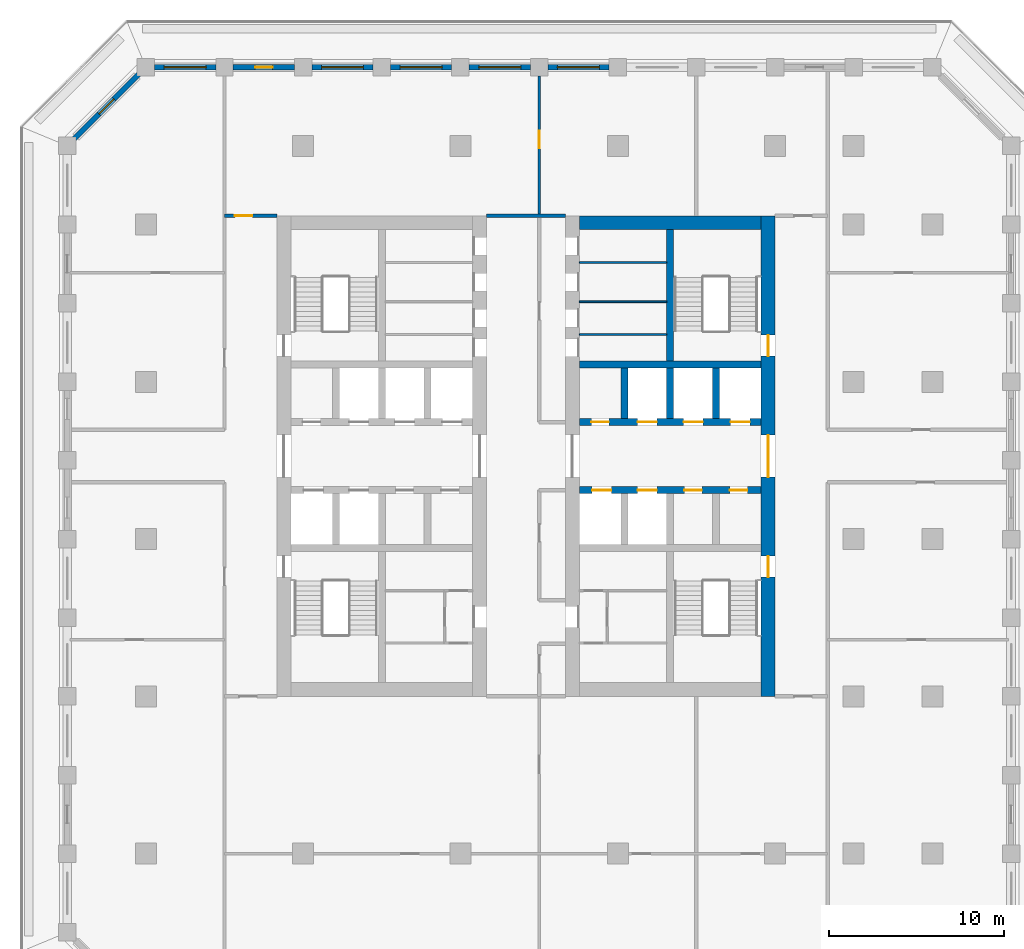
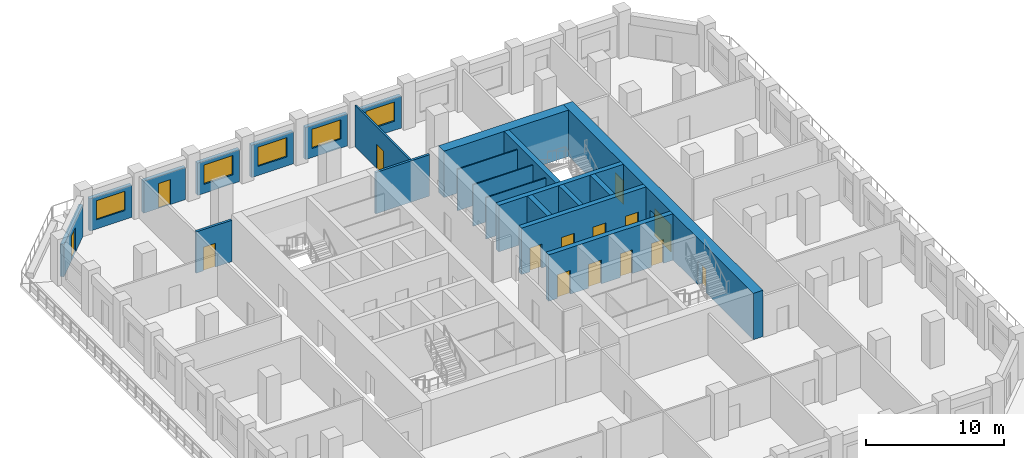
# One storey, part 6 of 16: 22 walls, 15 doors, 5 windows, 20 openings.
"""IFC4 building model written with IfcOpenShell, lengths in metres."""

import ifcopenshell
import ifcopenshell.guid

model = None  # the IFC model being written
_history = None  # IfcOwnerHistory: only IFC2X3 demands one
_inside = {}  # id of a spatial element -> (the spatial element, [elements in it])
_under = {}  # id of a project, library or spatial element -> (it, [spatial elements below it])
_declared = {}  # id of a project -> (the project, [libraries it declares])
_typed = {}  # id of a type object -> (the type object, [elements of that type])
_made_of = {}  # id of a material, layer set ... -> (it, [elements and type objects made of it])


def new_model(schema):
    """Start an empty IFC model of exactly this schema.

    Asked for "IFC4X3", IfcOpenShell would pick the latest addendum, in which some entities
    have other attributes; the version numbers below select the first issue.
    IFC2X3 requires an IfcOwnerHistory on every rooted entity: one is made here for all.
    """
    global model, _history
    if schema == "IFC4X3":
        model = ifcopenshell.file(schema_version=(4, 3, 0, 0))
    else:
        model = ifcopenshell.file(schema=schema)
    _inside.clear()
    _under.clear()
    _declared.clear()
    _typed.clear()
    _made_of.clear()
    _history = None
    if model.schema == "IFC2X3":
        org = make("IfcOrganization", Name="unknown")
        user = make(
            "IfcPersonAndOrganization",
            ThePerson=make("IfcPerson", FamilyName="unknown"),
            TheOrganization=org,
        )
        app = make(
            "IfcApplication",
            ApplicationDeveloper=org,
            Version="unknown",
            ApplicationFullName="unknown",
            ApplicationIdentifier="unknown",
        )
        _history = make(
            "IfcOwnerHistory",
            OwningUser=user,
            OwningApplication=app,
            ChangeAction="ADDED",
            CreationDate=0,
        )
    return model


def make(cls, **values):
    """One entity of the class cls with the attributes given. An attribute that is None is left unset."""
    return model.create_entity(
        cls, **{name: value for name, value in values.items() if value is not None}
    )


def rooted(cls, **values):
    """An entity with a GlobalId (a new one), such as an element, a storey or a relation."""
    return make(cls, GlobalId=ifcopenshell.guid.new(), OwnerHistory=_history, **values)


def si_unit(unit_type, name, prefix=None):
    """IfcSIUnit, for example si_unit("LENGTHUNIT", "METRE", prefix="MILLI")."""
    return make("IfcSIUnit", UnitType=unit_type, Prefix=prefix, Name=name)


def assignment(units):
    """IfcUnitAssignment: the units of a project."""
    return None if units is None else make("IfcUnitAssignment", Units=units)


def point(xyz):
    """IfcCartesianPoint."""
    return None if xyz is None else make("IfcCartesianPoint", Coordinates=xyz)


def direction(xyz):
    """IfcDirection."""
    return None if xyz is None else make("IfcDirection", DirectionRatios=xyz)


def frame(location, z_axis=None, x_axis=None):
    """IfcAxis2Placement3D, a coordinate frame: its origin and axes. An axis left out is left unset."""
    return make(
        "IfcAxis2Placement3D",
        Location=point(location),
        Axis=direction(z_axis),
        RefDirection=direction(x_axis),
    )


def frame_2d(location, x_axis=None):
    """IfcAxis2Placement2D, a coordinate frame in the plane: its origin and x axis."""
    return make(
        "IfcAxis2Placement2D", Location=point(location), RefDirection=direction(x_axis)
    )


def origin():
    """The frame at (0, 0, 0) with its axes left unset."""
    return frame((0.0, 0.0, 0.0))


def place(relative_to, where):
    """IfcLocalPlacement: puts the frame where relative to a parent placement (None: the world)."""
    return make(
        "IfcLocalPlacement", PlacementRelTo=relative_to, RelativePlacement=where
    )


def context(
    kind, dimensions, precision=None, world=None, true_north=None, identifier=None
):
    """IfcGeometricRepresentationContext, for example the 3D "Model" context."""
    return make(
        "IfcGeometricRepresentationContext",
        ContextIdentifier=identifier,
        ContextType=kind,
        CoordinateSpaceDimension=dimensions,
        Precision=precision,
        WorldCoordinateSystem=world,
        TrueNorth=true_north,
    )


def subcontext(parent, identifier, kind, view, scale=None):
    """IfcGeometricRepresentationSubContext, for example "Body" below "Model"."""
    return make(
        "IfcGeometricRepresentationSubContext",
        ContextIdentifier=identifier,
        ContextType=kind,
        ParentContext=parent,
        TargetScale=scale,
        TargetView=view,
    )


def project(units=None, contexts=None):
    """IfcProject with its units and contexts."""
    return rooted(
        "IfcProject",
        Name="project",
        RepresentationContexts=contexts,
        UnitsInContext=assignment(units),
    )


def spatial(cls, under=None, at=None, **own):
    """A site, building, storey or space (cls), placed at a placement, below another one or the project."""
    s = rooted(cls, ObjectPlacement=at, **own)
    if under is not None:
        _under.setdefault(under.id(), (under, []))[1].append(s)
    return s


def profile(cls, at=None, kind="AREA", **sizes):
    """A parametric profile (cls). Its sizes go by their IFC names, for example OverallWidth=200.0."""
    return make(cls, ProfileType=kind, Position=at, **sizes)


def rectangle(**sizes):
    """IfcRectangleProfileDef."""
    return profile("IfcRectangleProfileDef", **sizes)


def extrude(swept, where, along, depth):
    """IfcExtrudedAreaSolid: the profile swept, set in the frame where, extruded along a direction by depth."""
    return make(
        "IfcExtrudedAreaSolid",
        SweptArea=swept,
        Position=where,
        ExtrudedDirection=direction(along),
        Depth=depth,
    )


def shape(context_of_items, identifier, shape_type, items):
    """IfcShapeRepresentation: the items that make up one representation, for example the "Body"."""
    return make(
        "IfcShapeRepresentation",
        ContextOfItems=context_of_items,
        RepresentationIdentifier=identifier,
        RepresentationType=shape_type,
        Items=items,
    )


def material(Name=None, Category=None):
    """IfcMaterial."""
    return make("IfcMaterial", Name=Name, Category=Category)


def layer(
    of_material, thickness, ventilated=None, Name=None, Category=None, Priority=None
):
    """IfcMaterialLayer: one layer of a wall or slab, of a material (None: an air gap)."""
    return make(
        "IfcMaterialLayer",
        Material=of_material,
        LayerThickness=thickness,
        IsVentilated=ventilated,
        Name=Name,
        Category=Category,
        Priority=Priority,
    )


def layer_set(layers, Name=None):
    """IfcMaterialLayerSet."""
    return make("IfcMaterialLayerSet", MaterialLayers=layers, LayerSetName=Name)


def made_of(thing, what):
    """Note that an element or type object is made of a material, layer set ...; save() writes the relation."""
    if what is not None:
        _made_of.setdefault(what.id(), (what, []))[1].append(thing)
    return thing


def type_object(cls, material=None, **own):
    """A type object (cls), such as IfcWallType, which elements share."""
    return made_of(rooted(cls, **own), material)


def element(
    cls,
    number,
    at=None,
    inside=None,
    cuts=None,
    type_object=None,
    material=None,
    context=None,
    identifier="Body",
    shape_type=None,
    held_by="IfcProductDefinitionShape",
    body=None,
    shapes=None,
    **own,
):
    """One element of the class cls, such as IfcWall. Its Tag is "e" and its number.

    at: its placement. inside: the storey or other place that contains it. cuts: it is an
    opening in that element (IfcRelVoidsElement). A single representation is given by context,
    identifier, shape_type and body (its items); several are given by shapes. held_by: the class
    of the entity that holds the representations. save() writes the other relations.
    """
    e = rooted(cls, Tag="e%d" % number, ObjectPlacement=at, **own)
    if body is not None:
        shapes = [shape(context, identifier, shape_type, body)]
    if shapes is not None:
        e.Representation = make(held_by, Representations=shapes)
    if inside is not None:
        _inside.setdefault(inside.id(), (inside, []))[1].append(e)
    if cuts is not None:
        rooted(
            "IfcRelVoidsElement", RelatingBuildingElement=cuts, RelatedOpeningElement=e
        )
    if type_object is not None:
        _typed.setdefault(type_object.id(), (type_object, []))[1].append(e)
    return made_of(e, material)


def fill(opening, filler):
    """IfcRelFillsElement: the door or window that sits in an opening."""
    return rooted(
        "IfcRelFillsElement",
        RelatingOpeningElement=opening,
        RelatedBuildingElement=filler,
    )


def aggregate(whole, parts):
    """IfcRelAggregates: a whole, such as a stair, and the parts it consists of."""
    return rooted("IfcRelAggregates", RelatingObject=whole, RelatedObjects=parts)


def save(model, path):
    """Write the relations noted so far, then the file.

    IfcRelAggregates (storeys below a building ...), IfcRelContainedInSpatialStructure (elements
    in a storey), IfcRelDefinesByType, IfcRelAssociatesMaterial and IfcRelDeclares: one each for
    every whole, place, type object, material and project.
    """
    for whole, parts in _under.values():
        aggregate(whole, parts)
    for where, things in _inside.values():
        rooted(
            "IfcRelContainedInSpatialStructure",
            RelatedElements=things,
            RelatingStructure=where,
        )
    for kind, things in _typed.values():
        rooted("IfcRelDefinesByType", RelatedObjects=things, RelatingType=kind)
    for what, things in _made_of.values():
        rooted("IfcRelAssociatesMaterial", RelatedObjects=things, RelatingMaterial=what)
    for by, libraries in _declared.values():
        rooted("IfcRelDeclares", RelatingContext=by, RelatedDefinitions=libraries)
    model.write(path)


model = new_model("IFC4")

# Units and contexts
model_context = context("Model", 3, precision=1e-05, world=origin(), true_north=direction((0.0, 1.0)))
body_context = subcontext(model_context, "Body", "Model", "MODEL_VIEW")
ifc_project = project(units=[si_unit("LENGTHUNIT", "METRE"), si_unit("AREAUNIT", "SQUARE_METRE"), si_unit("VOLUMEUNIT", "CUBIC_METRE"), si_unit("PLANEANGLEUNIT", "RADIAN"), si_unit("MASSUNIT", "GRAM", prefix="KILO")], contexts=[model_context])

# Site, building, storey
site_placement = place(None, origin())
site = spatial("IfcSite", under=ifc_project, at=site_placement, CompositionType="ELEMENT")
building_placement = place(site_placement, origin())
building = spatial("IfcBuilding", under=site, at=building_placement, Name="Corbel Stack Research Tower", CompositionType="ELEMENT")
storey_placement = place(building_placement, frame((0.0, 0.0, 195.60009765625)))
storey = spatial("IfcBuildingStorey", under=building, at=storey_placement, Name="L44", CompositionType="ELEMENT", Elevation=195.60009765625)

# Wall, openings, doors
ifc_material_1 = material(Name="Concrete C60/75", Category="concrete")
ifc_layer_1 = layer(ifc_material_1, 0.39990234375)
ifc_layer_set_1 = layer_set([ifc_layer_1], Name="Concrete C60/75")
wall_type_1 = type_object("IfcWallType", Name="CW-400-60", PredefinedType="SHEAR", material=ifc_layer_set_1)
wall_1_placement = place(storey_placement, frame((6.800048828125, 2.800048828125, 0.0), z_axis=(0.0, 0.0, 1.0), x_axis=(1.0, 0.0, 0.0)))
wall_1 = element("IfcWall", 1, at=wall_1_placement, inside=storey, type_object=wall_type_1, Name="East core wall, lobby south L44", PredefinedType="SHEAR", context=body_context, shape_type="SweptSolid", body=[
    extrude(rectangle(XDim=10.39990234375, YDim=0.39990234375, at=frame_2d((5.199951171875, 0.0))), origin(), (0.0, 0.0, 1.0), 4.099853515625),
])
opening_1_placement = place(wall_1_placement, frame((0.737548828125, 0.0, 0.0)))
opening_1 = element("IfcOpeningElement", 2, at=opening_1_placement, cuts=wall_1, Name="Opening LD-FS2", PredefinedType="OPENING", context=body_context, shape_type="SweptSolid", body=[
    extrude(rectangle(XDim=1.10009765625, YDim=2.10009765625, at=frame_2d((0.550048828125, 1.050048828125))), frame((0.0, 0.2099609375, 0.0), z_axis=(0.0, -1.0, 0.0), x_axis=(1.0, 0.0, 0.0)), (0.0, 0.0, 1.0), 0.419921875),
])
opening_2_placement = place(wall_1_placement, frame((3.33740234375, 0.0, 0.0)))
opening_2 = element("IfcOpeningElement", 3, at=opening_2_placement, cuts=wall_1, Name="Opening LD-GL2", PredefinedType="OPENING", context=body_context, shape_type="SweptSolid", body=[
    extrude(rectangle(XDim=1.10009765625, YDim=2.10009765625, at=frame_2d((0.550048828125, 1.050048828125))), frame((0.0, 0.2099609375, 0.0), z_axis=(0.0, -1.0, 0.0), x_axis=(1.0, 0.0, 0.0)), (0.0, 0.0, 1.0), 0.419921875),
])
opening_3_placement = place(wall_1_placement, frame((6.012451171875, 0.0, 0.0)))
opening_3 = element("IfcOpeningElement", 4, at=opening_3_placement, cuts=wall_1, Name="Opening CR-E36-S3", PredefinedType="OPENING", context=body_context, shape_type="SweptSolid", body=[
    extrude(rectangle(XDim=1.0, YDim=2.10009765625, at=frame_2d((0.5, 1.050048828125))), frame((0.0, 0.2099609375, 0.0), z_axis=(0.0, -1.0, 0.0), x_axis=(1.0, 0.0, 0.0)), (0.0, 0.0, 1.0), 0.419921875),
])
opening_4_placement = place(wall_1_placement, frame((8.612548828125, 0.0, 0.0)))
opening_4 = element("IfcOpeningElement", 5, at=opening_4_placement, cuts=wall_1, Name="Opening CR-E36-S4", PredefinedType="OPENING", context=body_context, shape_type="SweptSolid", body=[
    extrude(rectangle(XDim=1.0, YDim=2.10009765625, at=frame_2d((0.5, 1.050048828125))), frame((0.0, 0.2099609375, 0.0), z_axis=(0.0, -1.0, 0.0), x_axis=(1.0, 0.0, 0.0)), (0.0, 0.0, 1.0), 0.419921875),
])
ifc_material_2 = material(Name="Stainless steel landing door", Category="steel")
door_type_1 = type_object("IfcDoorType", Name="Lift landing door 1100 x 2100", OperationType="DOUBLE_DOOR_SLIDING", PredefinedType="DOOR", material=ifc_material_2)
door_1_placement = place(opening_1_placement, origin())
door_1 = element("IfcDoor", 6, at=door_1_placement, inside=storey, type_object=door_type_1, Name="Landing door FS2", OperationType="DOUBLE_DOOR_SLIDING", OverallHeight=2.10009765625, OverallWidth=1.10009765625, PredefinedType="DOOR", context=body_context, shape_type="SweptSolid", body=[
    extrude(rectangle(XDim=1.10009765625, YDim=2.10009765625, at=frame_2d((0.550048828125, 1.050048828125))), frame((0.0, 0.02490234375, 0.0), z_axis=(0.0, -1.0, 0.0), x_axis=(1.0, 0.0, 0.0)), (0.0, 0.0, 1.0), 0.050048828125),
])
fill(opening_1, door_1)
door_2_placement = place(opening_2_placement, origin())
door_2 = element("IfcDoor", 7, at=door_2_placement, inside=storey, type_object=door_type_1, Name="Landing door GL2", OperationType="DOUBLE_DOOR_SLIDING", OverallHeight=2.10009765625, OverallWidth=1.10009765625, PredefinedType="DOOR", context=body_context, shape_type="SweptSolid", body=[
    extrude(rectangle(XDim=1.10009765625, YDim=2.10009765625, at=frame_2d((0.550048828125, 1.050048828125))), frame((0.0, 0.02490234375, 0.0), z_axis=(0.0, -1.0, 0.0), x_axis=(1.0, 0.0, 0.0)), (0.0, 0.0, 1.0), 0.050048828125),
])
fill(opening_2, door_2)
ifc_material_3 = material(Name="Painted steel door", Category="steel")
door_type_2 = type_object("IfcDoorType", Name="Service door 1000 x 2100 FD60 left hand", OperationType="SINGLE_SWING_LEFT", PredefinedType="DOOR", material=ifc_material_3)
door_3_placement = place(opening_3_placement, origin())
door_3 = element("IfcDoor", 8, at=door_3_placement, inside=storey, type_object=door_type_2, Name="Laboratory consumables store door E core", OperationType="SINGLE_SWING_LEFT", OverallHeight=2.10009765625, OverallWidth=1.0, PredefinedType="DOOR", context=body_context, shape_type="SweptSolid", body=[
    extrude(rectangle(XDim=1.0, YDim=2.10009765625, at=frame_2d((0.5, 1.050048828125))), frame((0.0, 0.02490234375, 0.0), z_axis=(0.0, -1.0, 0.0), x_axis=(1.0, 0.0, 0.0)), (0.0, 0.0, 1.0), 0.050048828125),
])
fill(opening_3, door_3)
ifc_material_4 = material(Name="Painted steel door", Category="steel")
door_type_3 = type_object("IfcDoorType", Name="Service door 1000 x 2100 FD60 right hand", OperationType="SINGLE_SWING_RIGHT", PredefinedType="DOOR", material=ifc_material_4)
door_4_placement = place(opening_4_placement, origin())
door_4 = element("IfcDoor", 9, at=door_4_placement, inside=storey, type_object=door_type_3, Name="Cleaner's store door E core", OperationType="SINGLE_SWING_RIGHT", OverallHeight=2.10009765625, OverallWidth=1.0, PredefinedType="DOOR", context=body_context, shape_type="SweptSolid", body=[
    extrude(rectangle(XDim=1.0, YDim=2.10009765625, at=frame_2d((0.5, 1.050048828125))), frame((0.0, 0.02490234375, 0.0), z_axis=(0.0, -1.0, 0.0), x_axis=(1.0, 0.0, 0.0)), (0.0, 0.0, 1.0), 0.050048828125),
])
fill(opening_4, door_4)

wall_2_placement = place(storey_placement, frame((6.800048828125, 6.699951171875, 0.0), z_axis=(0.0, 0.0, 1.0), x_axis=(1.0, 0.0, 0.0)))
wall_2 = element("IfcWall", 10, at=wall_2_placement, inside=storey, type_object=wall_type_1, Name="East core wall, lobby north L44", PredefinedType="SHEAR", context=body_context, shape_type="SweptSolid", body=[
    extrude(rectangle(XDim=10.39990234375, YDim=0.39990234375, at=frame_2d((5.199951171875, 0.0))), origin(), (0.0, 0.0, 1.0), 4.099853515625),
])
opening_5_placement = place(wall_2_placement, frame((3.33740234375, 0.0, 0.0)))
opening_5 = element("IfcOpeningElement", 11, at=opening_5_placement, cuts=wall_2, Name="Opening LD-HR4", PredefinedType="OPENING", context=body_context, shape_type="SweptSolid", body=[
    extrude(rectangle(XDim=1.10009765625, YDim=2.10009765625, at=frame_2d((0.550048828125, 1.050048828125))), frame((0.0, 0.2099609375, 0.0), z_axis=(0.0, -1.0, 0.0), x_axis=(1.0, 0.0, 0.0)), (0.0, 0.0, 1.0), 0.419921875),
])
opening_6_placement = place(wall_2_placement, frame((5.96240234375, 0.0, 0.0)))
opening_6 = element("IfcOpeningElement", 12, at=opening_6_placement, cuts=wall_2, Name="Opening LD-HR5", PredefinedType="OPENING", context=body_context, shape_type="SweptSolid", body=[
    extrude(rectangle(XDim=1.10009765625, YDim=2.10009765625, at=frame_2d((0.550048828125, 1.050048828125))), frame((0.0, 0.2099609375, 0.0), z_axis=(0.0, -1.0, 0.0), x_axis=(1.0, 0.0, 0.0)), (0.0, 0.0, 1.0), 0.419921875),
])
opening_7_placement = place(wall_2_placement, frame((8.66259765625, 0.0, 0.0)))
opening_7 = element("IfcOpeningElement", 13, at=opening_7_placement, cuts=wall_2, Name="Opening LD-HR6", PredefinedType="OPENING", context=body_context, shape_type="SweptSolid", body=[
    extrude(rectangle(XDim=1.10009765625, YDim=2.10009765625, at=frame_2d((0.550048828125, 1.050048828125))), frame((0.0, 0.2099609375, 0.0), z_axis=(0.0, -1.0, 0.0), x_axis=(1.0, 0.0, 0.0)), (0.0, 0.0, 1.0), 0.419921875),
])
opening_8_placement = place(wall_2_placement, frame((0.6875, 0.0, 0.0)))
opening_8 = element("IfcOpeningElement", 14, at=opening_8_placement, cuts=wall_2, Name="Opening CR-E36-N1", PredefinedType="OPENING", context=body_context, shape_type="SweptSolid", body=[
    extrude(rectangle(XDim=1.0, YDim=2.10009765625, at=frame_2d((0.5, 1.050048828125))), frame((0.0, 0.2099609375, 0.0), z_axis=(0.0, -1.0, 0.0), x_axis=(1.0, 0.0, 0.0)), (0.0, 0.0, 1.0), 0.419921875),
])
door_5_placement = place(opening_5_placement, origin())
door_5 = element("IfcDoor", 15, at=door_5_placement, inside=storey, type_object=door_type_1, Name="Landing door HR4", OperationType="DOUBLE_DOOR_SLIDING", OverallHeight=2.10009765625, OverallWidth=1.10009765625, PredefinedType="DOOR", context=body_context, shape_type="SweptSolid", body=[
    extrude(rectangle(XDim=1.10009765625, YDim=2.10009765625, at=frame_2d((0.550048828125, 1.050048828125))), frame((0.0, 0.02490234375, 0.0), z_axis=(0.0, -1.0, 0.0), x_axis=(1.0, 0.0, 0.0)), (0.0, 0.0, 1.0), 0.050048828125),
])
fill(opening_5, door_5)
door_6_placement = place(opening_6_placement, origin())
door_6 = element("IfcDoor", 16, at=door_6_placement, inside=storey, type_object=door_type_1, Name="Landing door HR5", OperationType="DOUBLE_DOOR_SLIDING", OverallHeight=2.10009765625, OverallWidth=1.10009765625, PredefinedType="DOOR", context=body_context, shape_type="SweptSolid", body=[
    extrude(rectangle(XDim=1.10009765625, YDim=2.10009765625, at=frame_2d((0.550048828125, 1.050048828125))), frame((0.0, 0.02490234375, 0.0), z_axis=(0.0, -1.0, 0.0), x_axis=(1.0, 0.0, 0.0)), (0.0, 0.0, 1.0), 0.050048828125),
])
fill(opening_6, door_6)
door_7_placement = place(opening_7_placement, origin())
door_7 = element("IfcDoor", 17, at=door_7_placement, inside=storey, type_object=door_type_1, Name="Landing door HR6", OperationType="DOUBLE_DOOR_SLIDING", OverallHeight=2.10009765625, OverallWidth=1.10009765625, PredefinedType="DOOR", context=body_context, shape_type="SweptSolid", body=[
    extrude(rectangle(XDim=1.10009765625, YDim=2.10009765625, at=frame_2d((0.550048828125, 1.050048828125))), frame((0.0, 0.02490234375, 0.0), z_axis=(0.0, -1.0, 0.0), x_axis=(1.0, 0.0, 0.0)), (0.0, 0.0, 1.0), 0.050048828125),
])
fill(opening_7, door_7)
door_8_placement = place(opening_8_placement, origin())
door_8 = element("IfcDoor", 18, at=door_8_placement, inside=storey, type_object=door_type_2, Name="Vending bay door E core", OperationType="SINGLE_SWING_LEFT", OverallHeight=2.10009765625, OverallWidth=1.0, PredefinedType="DOOR", context=body_context, shape_type="SweptSolid", body=[
    extrude(rectangle(XDim=1.0, YDim=2.10009765625, at=frame_2d((0.5, 1.050048828125))), frame((0.0, 0.02490234375, 0.0), z_axis=(0.0, -1.0, 0.0), x_axis=(1.0, 0.0, 0.0)), (0.0, 0.0, 1.0), 0.050048828125),
])
fill(opening_8, door_8)

# Walls
wall_3_placement = place(storey_placement, frame((6.800048828125, 10.0, 0.0), z_axis=(0.0, 0.0, 1.0), x_axis=(1.0, 0.0, 0.0)))
element("IfcWall", 19, at=wall_3_placement, inside=storey, type_object=wall_type_1, Name="East core wall, north row back L44", PredefinedType="SHEAR", context=body_context, shape_type="SweptSolid", body=[
    extrude(rectangle(XDim=10.39990234375, YDim=0.39990234375, at=frame_2d((5.199951171875, 0.0))), origin(), (0.0, 0.0, 1.0), 4.099853515625),
])
for number, where, z_axis, x_axis, name in (
    (20, (9.375, 6.89990234375, 0.0), (0.0, 0.0, 1.0), (0.0, 1.0, 0.0), "East core wall, north shaft 1 L44"),
    (21, (12.0, 6.89990234375, 0.0), (0.0, 0.0, 1.0), (0.0, 1.0, 0.0), "East core wall, north shaft 2 L44"),
    (22, (14.625, 6.89990234375, 0.0), (0.0, 0.0, 1.0), (0.0, 1.0, 0.0), "East core wall, north shaft 3 L44"),
):
    element("IfcWall", number, at=place(storey_placement, frame(where, z_axis=z_axis, x_axis=x_axis)), inside=storey, type_object=wall_type_1, Name=name, PredefinedType="SHEAR", context=body_context, shape_type="SweptSolid", body=[
        extrude(rectangle(XDim=2.900146484375, YDim=0.39990234375, at=frame_2d((1.4501953125, 0.0))), origin(), (0.0, 0.0, 1.0), 4.099853515625),
    ])
wall_4_placement = place(storey_placement, frame((12.0, 10.199951171875, 0.0), z_axis=(0.0, 0.0, 1.0), x_axis=(0.0, 1.0, 0.0)))
element("IfcWall", 23, at=wall_4_placement, inside=storey, type_object=wall_type_1, Name="East core wall, north stair and riser L44", PredefinedType="SHEAR", context=body_context, shape_type="SweptSolid", body=[
    extrude(rectangle(XDim=7.5, YDim=0.39990234375, at=frame_2d((3.75, 0.0))), origin(), (0.0, 0.0, 1.0), 4.099853515625),
])

# Wall, openings, doors
ifc_material_5 = material(Name="Concrete C60/75", Category="concrete")
ifc_layer_2 = layer(ifc_material_5, 0.800048828125)
ifc_layer_set_2 = layer_set([ifc_layer_2], Name="Concrete C60/75")
wall_type_2 = type_object("IfcWallType", Name="CW-800-60", PredefinedType="SHEAR", material=ifc_layer_set_2)
wall_5_placement = place(storey_placement, frame((17.60009765625, -9.0, 0.0), z_axis=(0.0, 0.0, 1.0), x_axis=(0.0, 1.0, 0.0)))
wall_5 = element("IfcWall", 24, at=wall_5_placement, inside=storey, type_object=wall_type_2, Name="East core wall, east face L44", PredefinedType="SHEAR", context=body_context, shape_type="SweptSolid", body=[
    extrude(rectangle(XDim=27.5, YDim=0.800048828125, at=frame_2d((13.75, 0.0))), origin(), (0.0, 0.0, 1.0), 4.099853515625),
])
opening_9_placement = place(wall_5_placement, frame((12.550048828125, 0.0, 0.0)))
opening_9 = element("IfcOpeningElement", 25, at=opening_9_placement, cuts=wall_5, Name="Opening CD-E-E", PredefinedType="OPENING", context=body_context, shape_type="SweptSolid", body=[
    extrude(rectangle(XDim=2.39990234375, YDim=2.39990234375, at=frame_2d((1.199951171875, 1.199951171875))), frame((0.0, 0.409912109375, 0.0), z_axis=(0.0, -1.0, 0.0), x_axis=(1.0, 0.0, 0.0)), (0.0, 0.0, 1.0), 0.820068359375),
])
opening_10_placement = place(wall_5_placement, frame((6.824951171875, 0.0, 0.0)))
opening_10 = element("IfcOpeningElement", 26, at=opening_10_placement, cuts=wall_5, Name="Opening SD-ST-E1", PredefinedType="OPENING", context=body_context, shape_type="SweptSolid", body=[
    extrude(rectangle(XDim=1.199951171875, YDim=2.10009765625, at=frame_2d((0.60009765625, 1.050048828125))), frame((0.0, 0.409912109375, 0.0), z_axis=(0.0, -1.0, 0.0), x_axis=(1.0, 0.0, 0.0)), (0.0, 0.0, 1.0), 0.820068359375),
])
opening_11_placement = place(wall_5_placement, frame((19.47509765625, 0.0, 0.0)))
opening_11 = element("IfcOpeningElement", 27, at=opening_11_placement, cuts=wall_5, Name="Opening SD-ST-E2", PredefinedType="OPENING", context=body_context, shape_type="SweptSolid", body=[
    extrude(rectangle(XDim=1.199951171875, YDim=2.10009765625, at=frame_2d((0.60009765625, 1.050048828125))), frame((0.0, 0.409912109375, 0.0), z_axis=(0.0, -1.0, 0.0), x_axis=(1.0, 0.0, 0.0)), (0.0, 0.0, 1.0), 0.820068359375),
])
ifc_material_6 = material(Name="Painted steel fire door", Category="steel")
door_type_4 = type_object("IfcDoorType", Name="Lobby door pair 2400 x 2400 FD30S", OperationType="DOUBLE_DOOR_DOUBLE_SWING", PredefinedType="DOOR", material=ifc_material_6)
door_9_placement = place(opening_9_placement, origin())
door_9 = element("IfcDoor", 28, at=door_9_placement, inside=storey, type_object=door_type_4, Name="Lift lobby door E core E", OperationType="DOUBLE_DOOR_DOUBLE_SWING", OverallHeight=2.39990234375, OverallWidth=2.39990234375, PredefinedType="DOOR", context=body_context, shape_type="SweptSolid", body=[
    extrude(rectangle(XDim=2.39990234375, YDim=2.39990234375, at=frame_2d((1.199951171875, 1.199951171875))), frame((0.0, 0.02490234375, 0.0), z_axis=(0.0, -1.0, 0.0), x_axis=(1.0, 0.0, 0.0)), (0.0, 0.0, 1.0), 0.050048828125),
])
fill(opening_9, door_9)
ifc_material_7 = material(Name="Painted steel fire door", Category="steel")
door_type_5 = type_object("IfcDoorType", Name="Stair door 1200 x 2100 FD90 right hand", OperationType="SINGLE_SWING_RIGHT", PredefinedType="DOOR", material=ifc_material_7)
door_10_placement = place(opening_10_placement, frame((1.199951171875, 0.0, 0.0), z_axis=(0.0, 0.0, 1.0), x_axis=(-1.0, 0.0, 0.0)))
door_10 = element("IfcDoor", 29, at=door_10_placement, inside=storey, type_object=door_type_5, Name="Stair door ST-E1", OperationType="SINGLE_SWING_LEFT", OverallHeight=2.10009765625, OverallWidth=1.199951171875, PredefinedType="DOOR", context=body_context, shape_type="SweptSolid", body=[
    extrude(rectangle(XDim=1.199951171875, YDim=2.10009765625, at=frame_2d((0.60009765625, 1.050048828125))), frame((0.0, 0.02490234375, 0.0), z_axis=(0.0, -1.0, 0.0), x_axis=(1.0, 0.0, 0.0)), (0.0, 0.0, 1.0), 0.050048828125),
])
fill(opening_10, door_10)
door_11_placement = place(opening_11_placement, frame((1.199951171875, 0.0, 0.0), z_axis=(0.0, 0.0, 1.0), x_axis=(-1.0, 0.0, 0.0)))
door_11 = element("IfcDoor", 30, at=door_11_placement, inside=storey, type_object=door_type_5, Name="Stair door ST-E2", OperationType="SINGLE_SWING_LEFT", OverallHeight=2.10009765625, OverallWidth=1.199951171875, PredefinedType="DOOR", context=body_context, shape_type="SweptSolid", body=[
    extrude(rectangle(XDim=1.199951171875, YDim=2.10009765625, at=frame_2d((0.60009765625, 1.050048828125))), frame((0.0, 0.02490234375, 0.0), z_axis=(0.0, -1.0, 0.0), x_axis=(1.0, 0.0, 0.0)), (0.0, 0.0, 1.0), 0.050048828125),
])
fill(opening_11, door_11)

# Walls
wall_6_placement = place(storey_placement, frame((6.800048828125, 18.10009765625, 0.0), z_axis=(0.0, 0.0, 1.0), x_axis=(1.0, 0.0, 0.0)))
element("IfcWall", 31, at=wall_6_placement, inside=storey, type_object=wall_type_2, Name="East core wall, north end L44", PredefinedType="SHEAR", context=body_context, shape_type="SweptSolid", body=[
    extrude(rectangle(XDim=10.39990234375, YDim=0.800048828125, at=frame_2d((5.199951171875, 0.0))), origin(), (0.0, 0.0, 1.0), 4.099853515625),
])
ifc_material_8 = material(Name="Gypsum board")
ifc_layer_3 = layer(ifc_material_8, 0.10009765625)
ifc_layer_set_3 = layer_set([ifc_layer_3], Name="Gypsum board")
wall_type_3 = type_object("IfcWallType", Name="Core partition 100", PredefinedType="PARTITIONING", material=ifc_layer_set_3)
for number, where, z_axis, x_axis, name in (
    (32, (6.800048828125, 11.699951171875, 0.0), (0.0, 0.0, 1.0), (1.0, 0.0, 0.0), "Core partition E"),
    (33, (6.800048828125, 13.574951171875, 0.0), (0.0, 0.0, 1.0), (1.0, 0.0, 0.0), "Core partition E"),
    (34, (6.800048828125, 15.824951171875, 0.0), (0.0, 0.0, 1.0), (1.0, 0.0, 0.0), "Core partition E"),
):
    element("IfcWall", number, at=place(storey_placement, frame(where, z_axis=z_axis, x_axis=x_axis)), inside=storey, type_object=wall_type_3, Name=name, PredefinedType="PARTITIONING", context=body_context, shape_type="SweptSolid", body=[
        extrude(rectangle(XDim=5.0, YDim=0.10009765625, at=frame_2d((2.5, 0.0))), origin(), (0.0, 0.0, 1.0), 3.64990234375),
    ])

# Wall, opening, door
ifc_material_9 = material(Name="Fire-rated gypsum board partition on steel studs", Category="steel")
ifc_layer_4 = layer(ifc_material_9, 0.14990234375)
ifc_layer_set_4 = layer_set([ifc_layer_4], Name="Fire-rated gypsum board partition on steel studs")
wall_type_4 = type_object("IfcWallType", Name="Fire-rated partition 150 EI 60", PredefinedType="PARTITIONING", material=ifc_layer_set_4)
wall_7_placement = place(storey_placement, frame((4.5, 26.5, 0.0), z_axis=(0.0, 0.0, 1.0), x_axis=(0.0, -1.0, 0.0)))
wall_7 = element("IfcWall", 35, at=wall_7_placement, inside=storey, type_object=wall_type_4, Name="Partition L44-004", PredefinedType="PARTITIONING", context=body_context, shape_type="SweptSolid", body=[
    extrude(rectangle(XDim=8.0, YDim=0.14990234375, at=frame_2d((4.0, 0.0))), origin(), (0.0, 0.0, 1.0), 3.64990234375),
])
opening_12_placement = place(wall_7_placement, frame((3.14990234375, 0.0, 0.0)))
opening_12 = element("IfcOpeningElement", 36, at=opening_12_placement, cuts=wall_7, Name="Opening B6V0-015", PredefinedType="OPENING", context=body_context, shape_type="SweptSolid", body=[
    extrude(rectangle(XDim=1.0, YDim=2.10009765625, at=frame_2d((0.5, 1.050048828125))), frame((0.0, 0.0849609375, 0.0), z_axis=(0.0, -1.0, 0.0), x_axis=(1.0, 0.0, 0.0)), (0.0, 0.0, 1.0), 0.169921875),
])
ifc_material_10 = material(Name="Painted steel fire door", Category="steel")
door_type_6 = type_object("IfcDoorType", Name="Fire door FD30S 1000 x 2100", OperationType="NOTDEFINED", PredefinedType="DOOR", material=ifc_material_10)
door_12_placement = place(opening_12_placement, origin())
door_12 = element("IfcDoor", 37, at=door_12_placement, inside=storey, type_object=door_type_6, Name="Door B6V0-015", OperationType="SINGLE_SWING_LEFT", OverallHeight=2.10009765625, OverallWidth=1.0, PredefinedType="DOOR", context=body_context, shape_type="SweptSolid", body=[
    extrude(rectangle(XDim=1.0, YDim=2.10009765625, at=frame_2d((0.5, 1.050048828125))), frame((0.0, 0.02490234375, 0.0), z_axis=(0.0, -1.0, 0.0), x_axis=(1.0, 0.0, 0.0)), (0.0, 0.0, 1.0), 0.050048828125),
])
fill(opening_12, door_12)

ifc_material_11 = material(Name="Fire-rated gypsum board partition on steel studs", Category="steel")
ifc_layer_5 = layer(ifc_material_11, 0.199951171875)
ifc_layer_set_5 = layer_set([ifc_layer_5], Name="Fire-rated gypsum board partition on steel studs")
wall_type_5 = type_object("IfcWallType", Name="Fire-rated partition 200 EI 60", PredefinedType="PARTITIONING", material=ifc_layer_set_5)
wall_8_placement = place(storey_placement, frame((-13.5, 18.5, 0.0), z_axis=(0.0, 0.0, 1.0), x_axis=(1.0, 0.0, 0.0)))
wall_8 = element("IfcWall", 38, at=wall_8_placement, inside=storey, type_object=wall_type_5, Name="Partition L44-032", PredefinedType="PARTITIONING", context=body_context, shape_type="SweptSolid", body=[
    extrude(rectangle(XDim=3.0, YDim=0.199951171875, at=frame_2d((1.5, 0.0))), origin(), (0.0, 0.0, 1.0), 3.64990234375),
])
opening_13_placement = place(wall_8_placement, frame((0.60009765625, 0.0, 0.0)))
opening_13 = element("IfcOpeningElement", 39, at=opening_13_placement, cuts=wall_8, Name="Opening B6V0-019", PredefinedType="OPENING", context=body_context, shape_type="SweptSolid", body=[
    extrude(rectangle(XDim=1.0, YDim=2.10009765625, at=frame_2d((0.5, 1.050048828125))), frame((0.0, 0.10986328125, 0.0), z_axis=(0.0, -1.0, 0.0), x_axis=(1.0, 0.0, 0.0)), (0.0, 0.0, 1.0), 0.219970703125),
])
door_13_placement = place(opening_13_placement, origin())
door_13 = element("IfcDoor", 40, at=door_13_placement, inside=storey, type_object=door_type_6, Name="Door B6V0-019", OperationType="SINGLE_SWING_LEFT", OverallHeight=2.10009765625, OverallWidth=1.0, PredefinedType="DOOR", context=body_context, shape_type="SweptSolid", body=[
    extrude(rectangle(XDim=1.0, YDim=2.10009765625, at=frame_2d((0.5, 1.050048828125))), frame((0.0, 0.02490234375, 0.0), z_axis=(0.0, -1.0, 0.0), x_axis=(1.0, 0.0, 0.0)), (0.0, 0.0, 1.0), 0.050048828125),
])
fill(opening_13, door_13)

# Wall
wall_9_placement = place(storey_placement, frame((1.5, 18.5, 0.0), z_axis=(0.0, 0.0, 1.0), x_axis=(1.0, 0.0, 0.0)))
element("IfcWall", 41, at=wall_9_placement, inside=storey, type_object=wall_type_5, Name="Partition L44-033", PredefinedType="PARTITIONING", context=body_context, shape_type="SweptSolid", body=[
    extrude(rectangle(XDim=4.5, YDim=0.199951171875, at=frame_2d((2.25, 0.0))), origin(), (0.0, 0.0, 1.0), 3.64990234375),
])

# Wall, opening, window
ifc_material_12 = material(Name="Concrete C45/55", Category="concrete")
ifc_layer_6 = layer(ifc_material_12, 0.300048828125)
ifc_layer_set_6 = layer_set([ifc_layer_6], Name="Concrete C45/55")
wall_type_6 = type_object("IfcWallType", Name="Terracotta-faced concrete wall 300", PredefinedType="SOLIDWALL", material=ifc_layer_set_6)
wall_10_placement = place(storey_placement, frame((5.0, 27.0, 0.0), z_axis=(0.0, 0.0, 1.0), x_axis=(1.0, 0.0, 0.0)))
wall_10 = element("IfcWall", 42, at=wall_10_placement, inside=storey, type_object=wall_type_6, Name="Facade wall L44 N05", PredefinedType="SOLIDWALL", context=body_context, shape_type="SweptSolid", body=[
    extrude(rectangle(XDim=3.5, YDim=0.300048828125, at=frame_2d((1.75, 0.0))), origin(), (0.0, 0.0, 1.0), 2.849853515625),
])
opening_14_placement = place(wall_10_placement, frame((0.550048828125, 0.0, 0.800048828125)))
opening_14 = element("IfcOpeningElement", 43, at=opening_14_placement, cuts=wall_10, Name="Opening W1", PredefinedType="OPENING", context=body_context, shape_type="SweptSolid", body=[
    extrude(rectangle(XDim=2.39990234375, YDim=1.699951171875, at=frame_2d((1.199951171875, 0.85009765625))), frame((0.0, 0.159912109375, 0.0), z_axis=(0.0, -1.0, 0.0), x_axis=(1.0, 0.0, 0.0)), (0.0, 0.0, 1.0), 0.320068359375),
])
ifc_material_13 = material(Name="Aluminium frame, clear double glazing", Category="aluminium")
window_type = type_object("IfcWindowType", Name="Window W1 2400 x 1700", PartitioningType="SINGLE_PANEL", PredefinedType="WINDOW", material=ifc_material_13)
window_1_placement = place(opening_14_placement, origin())
window_1 = element("IfcWindow", 44, at=window_1_placement, inside=storey, type_object=window_type, Name="Window W1 L44 N05", OverallHeight=1.699951171875, OverallWidth=2.39990234375, PartitioningType="SINGLE_PANEL", PredefinedType="WINDOW", context=body_context, shape_type="SweptSolid", body=[
    extrude(rectangle(XDim=2.39990234375, YDim=1.699951171875, at=frame_2d((1.199951171875, 0.85009765625))), frame((0.0, 0.030029296875, 0.0), z_axis=(0.0, -1.0, 0.0), x_axis=(1.0, 0.0, 0.0)), (0.0, 0.0, 1.0), 0.06005859375),
])
fill(opening_14, window_1)

wall_11_placement = place(storey_placement, frame((0.5, 27.0, 0.0), z_axis=(0.0, 0.0, 1.0), x_axis=(1.0, 0.0, 0.0)))
wall_11 = element("IfcWall", 45, at=wall_11_placement, inside=storey, type_object=wall_type_6, Name="Facade wall L44 N06", PredefinedType="SOLIDWALL", context=body_context, shape_type="SweptSolid", body=[
    extrude(rectangle(XDim=3.5, YDim=0.300048828125, at=frame_2d((1.75, 0.0))), origin(), (0.0, 0.0, 1.0), 2.849853515625),
])
opening_15_placement = place(wall_11_placement, frame((0.550048828125, 0.0, 0.800048828125)))
opening_15 = element("IfcOpeningElement", 46, at=opening_15_placement, cuts=wall_11, Name="Opening W1", PredefinedType="OPENING", context=body_context, shape_type="SweptSolid", body=[
    extrude(rectangle(XDim=2.39990234375, YDim=1.699951171875, at=frame_2d((1.199951171875, 0.85009765625))), frame((0.0, 0.159912109375, 0.0), z_axis=(0.0, -1.0, 0.0), x_axis=(1.0, 0.0, 0.0)), (0.0, 0.0, 1.0), 0.320068359375),
])
window_2_placement = place(opening_15_placement, origin())
window_2 = element("IfcWindow", 47, at=window_2_placement, inside=storey, type_object=window_type, Name="Window W1 L44 N06", OverallHeight=1.699951171875, OverallWidth=2.39990234375, PartitioningType="SINGLE_PANEL", PredefinedType="WINDOW", context=body_context, shape_type="SweptSolid", body=[
    extrude(rectangle(XDim=2.39990234375, YDim=1.699951171875, at=frame_2d((1.199951171875, 0.85009765625))), frame((0.0, 0.030029296875, 0.0), z_axis=(0.0, -1.0, 0.0), x_axis=(1.0, 0.0, 0.0)), (0.0, 0.0, 1.0), 0.06005859375),
])
fill(opening_15, window_2)

wall_12_placement = place(storey_placement, frame((-4.0, 27.0, 0.0), z_axis=(0.0, 0.0, 1.0), x_axis=(1.0, 0.0, 0.0)))
wall_12 = element("IfcWall", 48, at=wall_12_placement, inside=storey, type_object=wall_type_6, Name="Facade wall L44 N07", PredefinedType="SOLIDWALL", context=body_context, shape_type="SweptSolid", body=[
    extrude(rectangle(XDim=3.5, YDim=0.300048828125, at=frame_2d((1.75, 0.0))), origin(), (0.0, 0.0, 1.0), 2.849853515625),
])
opening_16_placement = place(wall_12_placement, frame((0.550048828125, 0.0, 0.800048828125)))
opening_16 = element("IfcOpeningElement", 49, at=opening_16_placement, cuts=wall_12, Name="Opening W1", PredefinedType="OPENING", context=body_context, shape_type="SweptSolid", body=[
    extrude(rectangle(XDim=2.39990234375, YDim=1.699951171875, at=frame_2d((1.199951171875, 0.85009765625))), frame((0.0, 0.159912109375, 0.0), z_axis=(0.0, -1.0, 0.0), x_axis=(1.0, 0.0, 0.0)), (0.0, 0.0, 1.0), 0.320068359375),
])
window_3_placement = place(opening_16_placement, origin())
window_3 = element("IfcWindow", 50, at=window_3_placement, inside=storey, type_object=window_type, Name="Window W1 L44 N07", OverallHeight=1.699951171875, OverallWidth=2.39990234375, PartitioningType="SINGLE_PANEL", PredefinedType="WINDOW", context=body_context, shape_type="SweptSolid", body=[
    extrude(rectangle(XDim=2.39990234375, YDim=1.699951171875, at=frame_2d((1.199951171875, 0.85009765625))), frame((0.0, 0.030029296875, 0.0), z_axis=(0.0, -1.0, 0.0), x_axis=(1.0, 0.0, 0.0)), (0.0, 0.0, 1.0), 0.06005859375),
])
fill(opening_16, window_3)

wall_13_placement = place(storey_placement, frame((-8.5, 27.0, 0.0), z_axis=(0.0, 0.0, 1.0), x_axis=(1.0, 0.0, 0.0)))
wall_13 = element("IfcWall", 51, at=wall_13_placement, inside=storey, type_object=wall_type_6, Name="Facade wall L44 N08", PredefinedType="SOLIDWALL", context=body_context, shape_type="SweptSolid", body=[
    extrude(rectangle(XDim=3.5, YDim=0.300048828125, at=frame_2d((1.75, 0.0))), origin(), (0.0, 0.0, 1.0), 2.849853515625),
])
opening_17_placement = place(wall_13_placement, frame((0.550048828125, 0.0, 0.800048828125)))
opening_17 = element("IfcOpeningElement", 52, at=opening_17_placement, cuts=wall_13, Name="Opening W1", PredefinedType="OPENING", context=body_context, shape_type="SweptSolid", body=[
    extrude(rectangle(XDim=2.39990234375, YDim=1.699951171875, at=frame_2d((1.199951171875, 0.85009765625))), frame((0.0, 0.159912109375, 0.0), z_axis=(0.0, -1.0, 0.0), x_axis=(1.0, 0.0, 0.0)), (0.0, 0.0, 1.0), 0.320068359375),
])
window_4_placement = place(opening_17_placement, origin())
window_4 = element("IfcWindow", 53, at=window_4_placement, inside=storey, type_object=window_type, Name="Window W1 L44 N08", OverallHeight=1.699951171875, OverallWidth=2.39990234375, PartitioningType="SINGLE_PANEL", PredefinedType="WINDOW", context=body_context, shape_type="SweptSolid", body=[
    extrude(rectangle(XDim=2.39990234375, YDim=1.699951171875, at=frame_2d((1.199951171875, 0.85009765625))), frame((0.0, 0.030029296875, 0.0), z_axis=(0.0, -1.0, 0.0), x_axis=(1.0, 0.0, 0.0)), (0.0, 0.0, 1.0), 0.06005859375),
])
fill(opening_17, window_4)

# Wall, opening, door
wall_14_placement = place(storey_placement, frame((-13.0, 27.0, 0.0), z_axis=(0.0, 0.0, 1.0), x_axis=(1.0, 0.0, 0.0)))
wall_14 = element("IfcWall", 54, at=wall_14_placement, inside=storey, type_object=wall_type_6, Name="Facade wall L44 N09", PredefinedType="SOLIDWALL", context=body_context, shape_type="SweptSolid", body=[
    extrude(rectangle(XDim=3.5, YDim=0.300048828125, at=frame_2d((1.75, 0.0))), origin(), (0.0, 0.0, 1.0), 2.849853515625),
])
opening_18_placement = place(wall_14_placement, frame((1.25, 0.0, 0.0)))
opening_18 = element("IfcOpeningElement", 55, at=opening_18_placement, cuts=wall_14, Name="Opening L44-B08", PredefinedType="OPENING", context=body_context, shape_type="SweptSolid", body=[
    extrude(rectangle(XDim=1.0, YDim=2.199951171875, at=frame_2d((0.5, 1.10009765625))), frame((0.0, 0.159912109375, 0.0), z_axis=(0.0, -1.0, 0.0), x_axis=(1.0, 0.0, 0.0)), (0.0, 0.0, 1.0), 0.320068359375),
])
ifc_material_14 = material(Name="Aluminium frame, clear double glazing", Category="aluminium")
door_type_7 = type_object("IfcDoorType", Name="Balcony door BD1 1000 x 2200", OperationType="NOTDEFINED", PredefinedType="DOOR", material=ifc_material_14)
door_14_placement = place(opening_18_placement, origin())
door_14 = element("IfcDoor", 56, at=door_14_placement, inside=storey, type_object=door_type_7, Name="Balcony door L44-B08", OperationType="SINGLE_SWING_LEFT", OverallHeight=2.199951171875, OverallWidth=1.0, PredefinedType="DOOR", context=body_context, shape_type="SweptSolid", body=[
    extrude(rectangle(XDim=1.0, YDim=2.199951171875, at=frame_2d((0.5, 1.10009765625))), frame((0.0, 0.02490234375, 0.0), z_axis=(0.0, -1.0, 0.0), x_axis=(1.0, 0.0, 0.0)), (0.0, 0.0, 1.0), 0.050048828125),
])
fill(opening_18, door_14)

# Wall, opening, window
wall_15_placement = place(storey_placement, frame((-17.5, 27.0, 0.0), z_axis=(0.0, 0.0, 1.0), x_axis=(1.0, 0.0, 0.0)))
wall_15 = element("IfcWall", 57, at=wall_15_placement, inside=storey, type_object=wall_type_6, Name="Facade wall L44 N10", PredefinedType="SOLIDWALL", context=body_context, shape_type="SweptSolid", body=[
    extrude(rectangle(XDim=3.5, YDim=0.300048828125, at=frame_2d((1.75, 0.0))), origin(), (0.0, 0.0, 1.0), 2.849853515625),
])
opening_19_placement = place(wall_15_placement, frame((0.550048828125, 0.0, 0.800048828125)))
opening_19 = element("IfcOpeningElement", 58, at=opening_19_placement, cuts=wall_15, Name="Opening W1", PredefinedType="OPENING", context=body_context, shape_type="SweptSolid", body=[
    extrude(rectangle(XDim=2.39990234375, YDim=1.699951171875, at=frame_2d((1.199951171875, 0.85009765625))), frame((0.0, 0.159912109375, 0.0), z_axis=(0.0, -1.0, 0.0), x_axis=(1.0, 0.0, 0.0)), (0.0, 0.0, 1.0), 0.320068359375),
])
window_5_placement = place(opening_19_placement, origin())
window_5 = element("IfcWindow", 59, at=window_5_placement, inside=storey, type_object=window_type, Name="Window W1 L44 N10", OverallHeight=1.699951171875, OverallWidth=2.39990234375, PartitioningType="SINGLE_PANEL", PredefinedType="WINDOW", context=body_context, shape_type="SweptSolid", body=[
    extrude(rectangle(XDim=2.39990234375, YDim=1.699951171875, at=frame_2d((1.199951171875, 0.85009765625))), frame((0.0, 0.030029296875, 0.0), z_axis=(0.0, -1.0, 0.0), x_axis=(1.0, 0.0, 0.0)), (0.0, 0.0, 1.0), 0.06005859375),
])
fill(opening_19, window_5)

# Wall, opening, door
wall_16_placement = place(storey_placement, frame((-22.106201171875, 22.893798828125, 0.0), z_axis=(0.0, 0.0, 1.0), x_axis=(0.707106781187, 0.707106781187, 0.0)))
wall_16 = element("IfcWall", 60, at=wall_16_placement, inside=storey, type_object=wall_type_6, Name="Facade wall L44 NW01", PredefinedType="SOLIDWALL", context=body_context, shape_type="SweptSolid", body=[
    extrude(rectangle(XDim=5.250244140625, YDim=0.300048828125, at=frame_2d((2.625, 0.0))), origin(), (0.0, 0.0, 1.0), 2.849853515625),
])
opening_20_placement = place(wall_16_placement, frame((2.02490234375, 0.0, 0.0)))
opening_20 = element("IfcOpeningElement", 61, at=opening_20_placement, cuts=wall_16, Name="Opening L44-B09", PredefinedType="OPENING", context=body_context, shape_type="SweptSolid", body=[
    extrude(rectangle(XDim=1.199951171875, YDim=2.199951171875, at=frame_2d((0.60009765625, 1.10009765625))), frame((0.0, 0.159912109375, 0.0), z_axis=(0.0, -1.0, 0.0), x_axis=(1.0, 0.0, 0.0)), (0.0, 0.0, 1.0), 0.320068359375),
])
ifc_material_15 = material(Name="Aluminium frame, clear double glazing", Category="aluminium")
door_type_8 = type_object("IfcDoorType", Name="Balcony door BD2 1200 x 2200", OperationType="NOTDEFINED", PredefinedType="DOOR", material=ifc_material_15)
door_15_placement = place(opening_20_placement, origin())
door_15 = element("IfcDoor", 62, at=door_15_placement, inside=storey, type_object=door_type_8, Name="Balcony door L44-B09", OperationType="SINGLE_SWING_LEFT", OverallHeight=2.199951171875, OverallWidth=1.199951171875, PredefinedType="DOOR", context=body_context, shape_type="SweptSolid", body=[
    extrude(rectangle(XDim=1.199951171875, YDim=2.199951171875, at=frame_2d((0.60009765625, 1.10009765625))), frame((0.0, 0.02490234375, 0.0), z_axis=(0.0, -1.0, 0.0), x_axis=(1.0, 0.0, 0.0)), (0.0, 0.0, 1.0), 0.050048828125),
])
fill(opening_20, door_15)

save(model, "model.ifc")
